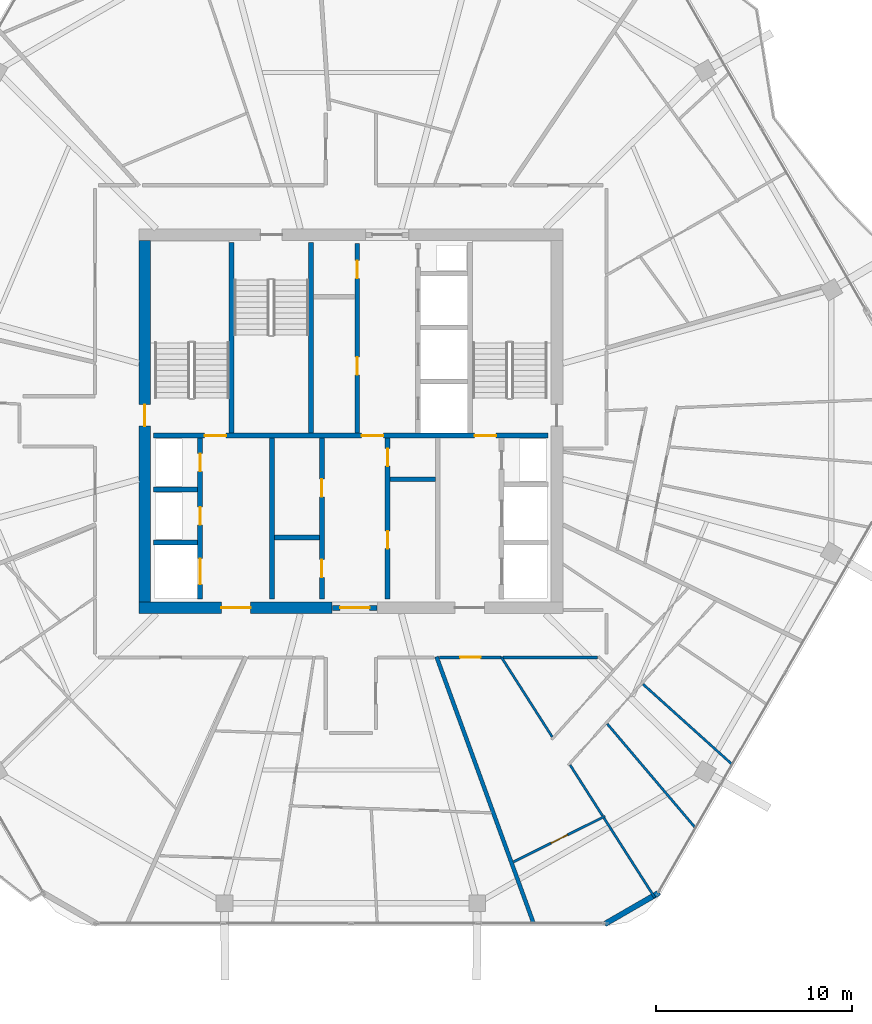
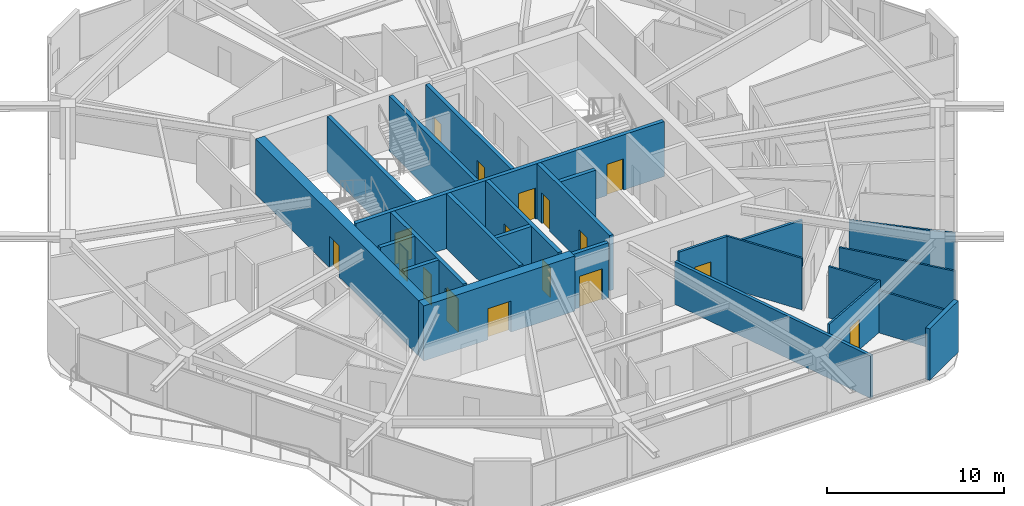
# One storey, part 19 of 26: 25 walls, 17 doors, 17 openings.
"""IFC4 building model written with IfcOpenShell, lengths in metres."""

from ifc_helpers import new_model, si_unit, direction, frame, frame_2d, origin, place, context, subcontext, project, spatial, rectangle, extrude, material, layer, layer_set, type_object, element, fill, save


model = new_model("IFC4")

# Units and contexts
model_context = context("Model", 3, precision=1e-05, world=origin(), true_north=direction((0.0, 1.0)))
body_context = subcontext(model_context, "Body", "Model", "MODEL_VIEW")
ifc_project = project(units=[si_unit("LENGTHUNIT", "METRE"), si_unit("AREAUNIT", "SQUARE_METRE"), si_unit("VOLUMEUNIT", "CUBIC_METRE"), si_unit("PLANEANGLEUNIT", "RADIAN"), si_unit("MASSUNIT", "GRAM", prefix="KILO")], contexts=[model_context])

# Site, building, storey
site_placement = place(None, origin())
site = spatial("IfcSite", under=ifc_project, at=site_placement, CompositionType="ELEMENT")
building_placement = place(site_placement, origin())
building = spatial("IfcBuilding", under=site, at=building_placement, Name="Zuhravey Tower", CompositionType="ELEMENT")
storey_placement = place(building_placement, frame((0.0, 0.0, 295.800048828125)))
storey = spatial("IfcBuildingStorey", under=building, at=storey_placement, Name="L75", CompositionType="ELEMENT", Elevation=295.800048828125)

# Wall, opening, door
ifc_material_1 = material(Name="Concrete C50/60", Category="concrete")
ifc_layer_1 = layer(ifc_material_1, 0.60009765625)
ifc_layer_set_1 = layer_set([ifc_layer_1], Name="Concrete C50/60")
wall_type_1 = type_object("IfcWallType", Name="Core Shear Wall 600", PredefinedType="SHEAR", material=ifc_layer_set_1)
wall_1_placement = place(storey_placement, frame((25.199951171875, 22.5, 0.0), z_axis=(0.0, 0.0, 1.0), x_axis=(1.0, 0.0, 0.0)))
wall_1 = element("IfcWall", 1, at=wall_1_placement, inside=storey, type_object=wall_type_1, Name="L75 South-West Core Shear Wall CW60", PredefinedType="SHEAR", context=body_context, shape_type="SweptSolid", body=[
    extrude(rectangle(XDim=9.85009765625, YDim=0.60009765625, at=frame_2d((4.925048828125, 0.0))), origin(), (0.0, 0.0, 1.0), 3.800048828125),
])
opening_1_placement = place(wall_1_placement, frame((4.199951171875, 0.0, 0.0)))
opening_1 = element("IfcOpeningElement", 2, at=opening_1_placement, cuts=wall_1, Name="Opening FFD1", PredefinedType="OPENING", context=body_context, shape_type="SweptSolid", body=[
    extrude(rectangle(XDim=1.5, YDim=2.14990234375, at=frame_2d((0.75, 1.074951171875))), frame((0.0, 0.31201171875, 0.0), z_axis=(0.0, -1.0, 0.0), x_axis=(1.0, 0.0, 0.0)), (0.0, 0.0, 1.0), 0.6240234375),
])
ifc_material_2 = material(Name="Galvanised fire-rated steel leaf", Category="steel")
door_type_1 = type_object("IfcDoorType", Name="Firefighting Lobby Double Door 1500x2150", OperationType="DOUBLE_DOOR_SINGLE_SWING", PredefinedType="DOOR", material=ifc_material_2)
door_1_placement = place(opening_1_placement, origin())
door_1 = element("IfcDoor", 3, at=door_1_placement, inside=storey, type_object=door_type_1, Name="L75 Firefighting Lobby West Door", OperationType="DOUBLE_DOOR_SINGLE_SWING", OverallHeight=2.14990234375, OverallWidth=1.5, PredefinedType="DOOR", context=body_context, shape_type="SweptSolid", body=[
    extrude(rectangle(XDim=1.5, YDim=2.14990234375, at=frame_2d((0.75, 1.074951171875))), frame((0.0, 0.02490234375, 0.0), z_axis=(0.0, -1.0, 0.0), x_axis=(1.0, 0.0, 0.0)), (0.0, 0.0, 1.0), 0.050048828125),
])
fill(opening_1, door_1)

wall_2_placement = place(storey_placement, frame((25.5, 22.800048828125, 0.0), z_axis=(0.0, 0.0, 1.0), x_axis=(0.0, 1.0, 0.0)))
wall_2 = element("IfcWall", 4, at=wall_2_placement, inside=storey, type_object=wall_type_1, Name="L75 West Core Shear Wall CW60", PredefinedType="SHEAR", context=body_context, shape_type="SweptSolid", body=[
    extrude(rectangle(XDim=18.39990234375, YDim=0.60009765625, at=frame_2d((9.199951171875, 0.0))), origin(), (0.0, 0.0, 1.0), 3.800048828125),
])
opening_2_placement = place(wall_2_placement, frame((8.949951171875, 0.0, 0.0)))
opening_2 = element("IfcOpeningElement", 5, at=opening_2_placement, cuts=wall_2, Name="Opening STD1", PredefinedType="OPENING", context=body_context, shape_type="SweptSolid", body=[
    extrude(rectangle(XDim=1.10009765625, YDim=2.14990234375, at=frame_2d((0.550048828125, 1.074951171875))), frame((0.0, 0.31201171875, 0.0), z_axis=(0.0, -1.0, 0.0), x_axis=(1.0, 0.0, 0.0)), (0.0, 0.0, 1.0), 0.6240234375),
])
door_type_2 = type_object("IfcDoorType", Name="Protected Stair Fire Door 1100x2150", OperationType="NOTDEFINED", PredefinedType="USERDEFINED", material=ifc_material_2)
door_2_placement = place(opening_2_placement, frame((1.10009765625, 0.0, 0.0), z_axis=(0.0, 0.0, 1.0), x_axis=(-1.0, 0.0, 0.0)))
door_2 = element("IfcDoor", 6, at=door_2_placement, inside=storey, type_object=door_type_2, Name="L75 Stair ST1 Door", ObjectType="EXITDOOR", OperationType="SINGLE_SWING_LEFT", OverallHeight=2.14990234375, OverallWidth=1.10009765625, PredefinedType="USERDEFINED", context=body_context, shape_type="SweptSolid", body=[
    extrude(rectangle(XDim=1.10009765625, YDim=2.14990234375, at=frame_2d((0.550048828125, 1.074951171875))), frame((0.0, 0.02490234375, 0.0), z_axis=(0.0, -1.0, 0.0), x_axis=(1.0, 0.0, 0.0)), (0.0, 0.0, 1.0), 0.050048828125),
])
fill(opening_2, door_2)

ifc_material_3 = material(Name="Gypsum fire-rated stud partition")
ifc_layer_2 = layer(ifc_material_3, 0.159912109375)
ifc_layer_set_2 = layer_set([ifc_layer_2], Name="Gypsum fire-rated stud partition")
wall_type_2 = type_object("IfcWallType", Name="Corridor Fire Partition 160", PredefinedType="PARTITIONING", material=ifc_layer_set_2)
wall_3_placement = place(storey_placement, frame((40.519287109375, 19.969970703125, 0.0), z_axis=(0.0, 0.0, 1.0), x_axis=(1.0, 0.0, 0.0)))
wall_3 = element("IfcWall", 7, at=wall_3_placement, inside=storey, type_object=wall_type_2, Name="L75 IW16 Partition 035", PredefinedType="PARTITIONING", context=body_context, shape_type="SweptSolid", body=[
    extrude(rectangle(XDim=3.1328125, YDim=0.159912109375, at=frame_2d((1.56640625, 0.0))), origin(), (0.0, 0.0, 1.0), 3.550048828125),
])
opening_3_placement = place(wall_3_placement, frame((1.04150390625, 0.0, 0.0)))
opening_3 = element("IfcOpeningElement", 8, at=opening_3_placement, cuts=wall_3, Name="Opening APD1", PredefinedType="OPENING", context=body_context, shape_type="SweptSolid", body=[
    extrude(rectangle(XDim=1.050048828125, YDim=2.14990234375, at=frame_2d((0.52490234375, 1.074951171875))), frame((0.0, 0.092041015625, 0.0), z_axis=(0.0, -1.0, 0.0), x_axis=(1.0, 0.0, 0.0)), (0.0, 0.0, 1.0), 0.183837890625),
])
ifc_material_4 = material(Name="Solid-core oak fire-rated leaf")
door_type_3 = type_object("IfcDoorType", Name="Apartment Entrance Fire Door 1050x2150", OperationType="NOTDEFINED", PredefinedType="DOOR", material=ifc_material_4)
door_3_placement = place(opening_3_placement, frame((1.050048828125, 0.0, 0.0), z_axis=(0.0, 0.0, 1.0), x_axis=(-1.0, 0.0, 0.0)))
door_3 = element("IfcDoor", 9, at=door_3_placement, inside=storey, type_object=door_type_3, Name="L75 Door 035.1", OperationType="SINGLE_SWING_RIGHT", OverallHeight=2.14990234375, OverallWidth=1.050048828125, PredefinedType="DOOR", context=body_context, shape_type="SweptSolid", body=[
    extrude(rectangle(XDim=1.050048828125, YDim=2.14990234375, at=frame_2d((0.52490234375, 1.074951171875))), frame((0.0, 0.02490234375, 0.0), z_axis=(0.0, -1.0, 0.0), x_axis=(1.0, 0.0, 0.0)), (0.0, 0.0, 1.0), 0.050048828125),
])
fill(opening_3, door_3)

# Walls
wall_4_placement = place(storey_placement, frame((43.756591796875, 19.969970703125, 0.0), z_axis=(0.0, 0.0, 1.0), x_axis=(1.0, 0.0, 0.0)))
element("IfcWall", 10, at=wall_4_placement, inside=storey, type_object=wall_type_2, Name="L75 IW16 Partition 113", PredefinedType="PARTITIONING", context=body_context, shape_type="SweptSolid", body=[
    extrude(rectangle(XDim=4.809326171875, YDim=0.159912109375, at=frame_2d((2.40478515625, 0.0))), origin(), (0.0, 0.0, 1.0), 2.949951171875),
])
ifc_material_5 = material(Name="Precast concrete C40/50", Category="concrete")
ifc_layer_3 = layer(ifc_material_5, 0.280029296875)
ifc_layer_set_3 = layer_set([ifc_layer_3], Name="Precast concrete C40/50")
wall_type_3 = type_object("IfcWallType", Name="Crown Architectural Wall 280", PredefinedType="SOLIDWALL", material=ifc_layer_set_3)
wall_5_placement = place(storey_placement, frame((51.714599609375, 7.996337890625, 0.0), z_axis=(0.0, 0.0, 1.0), x_axis=(-0.866028773314, -0.499994163758, 0.0)))
element("IfcWall", 11, at=wall_5_placement, inside=storey, type_object=wall_type_3, Name="L75 Rounded Corner Closure Wall EW28-02", PredefinedType="SOLIDWALL", context=body_context, shape_type="SweptSolid", body=[
    extrude(rectangle(XDim=3.21484375, YDim=0.280029296875, at=frame_2d((1.607421875, 0.0))), origin(), (0.0, 0.0, 1.0), 3.550048828125),
])

# Wall, opening, door
ifc_layer_4 = layer(ifc_material_1, 0.25)
ifc_layer_set_4 = layer_set([ifc_layer_4], Name="Concrete C50/60")
wall_type_4 = type_object("IfcWallType", Name="Firefighting Shaft & Stair Wall 250", PredefinedType="SOLIDWALL", material=ifc_layer_set_4)
wall_6_placement = place(storey_placement, frame((35.06005859375, 22.5, 0.0), z_axis=(0.0, 0.0, 1.0), x_axis=(1.0, 0.0, 0.0)))
wall_6 = element("IfcWall", 12, at=wall_6_placement, inside=storey, type_object=wall_type_4, Name="L75 FW25 Shaft Wall 001", PredefinedType="SOLIDWALL", context=body_context, shape_type="SweptSolid", body=[
    extrude(rectangle(XDim=2.280029296875, YDim=0.25, at=frame_2d((1.14013671875, 0.0))), origin(), (0.0, 0.0, 1.0), 3.800048828125),
])
opening_4_placement = place(wall_6_placement, frame((0.389892578125, 0.0, 0.0)))
opening_4 = element("IfcOpeningElement", 13, at=opening_4_placement, cuts=wall_6, Name="Opening FFD1", PredefinedType="OPENING", context=body_context, shape_type="SweptSolid", body=[
    extrude(rectangle(XDim=1.5, YDim=2.14990234375, at=frame_2d((0.75, 1.074951171875))), frame((0.0, 0.136962890625, 0.0), z_axis=(0.0, -1.0, 0.0), x_axis=(1.0, 0.0, 0.0)), (0.0, 0.0, 1.0), 0.27392578125),
])
door_4_placement = place(opening_4_placement, frame((1.5, 0.0, 0.0), z_axis=(0.0, 0.0, 1.0), x_axis=(-1.0, 0.0, 0.0)))
door_4 = element("IfcDoor", 14, at=door_4_placement, inside=storey, type_object=door_type_1, Name="L75 South Lift Lobby Exit Door", OperationType="DOUBLE_DOOR_SINGLE_SWING", OverallHeight=2.14990234375, OverallWidth=1.5, PredefinedType="DOOR", context=body_context, shape_type="SweptSolid", body=[
    extrude(rectangle(XDim=1.5, YDim=2.14990234375, at=frame_2d((0.75, 1.074951171875))), frame((0.0, 0.02490234375, 0.0), z_axis=(0.0, -1.0, 0.0), x_axis=(1.0, 0.0, 0.0)), (0.0, 0.0, 1.0), 0.050048828125),
])
fill(opening_4, door_4)

# Wall, openings, doors
wall_7_placement = place(storey_placement, frame((25.949951171875, 31.27490234375, 0.0), z_axis=(0.0, 0.0, 1.0), x_axis=(1.0, 0.0, 0.0)))
wall_7 = element("IfcWall", 15, at=wall_7_placement, inside=storey, type_object=wall_type_4, Name="L75 FW25 Shaft Wall 003", PredefinedType="SOLIDWALL", context=body_context, shape_type="SweptSolid", body=[
    extrude(rectangle(XDim=20.10009765625, YDim=0.25, at=frame_2d((10.050048828125, 0.0))), origin(), (0.0, 0.0, 1.0), 3.800048828125),
])
opening_5_placement = place(wall_7_placement, frame((2.60009765625, 0.0, 0.0)))
opening_5 = element("IfcOpeningElement", 16, at=opening_5_placement, cuts=wall_7, Name="Opening STD1", PredefinedType="OPENING", context=body_context, shape_type="SweptSolid", body=[
    extrude(rectangle(XDim=1.10009765625, YDim=2.14990234375, at=frame_2d((0.550048828125, 1.074951171875))), frame((0.0, 0.136962890625, 0.0), z_axis=(0.0, -1.0, 0.0), x_axis=(1.0, 0.0, 0.0)), (0.0, 0.0, 1.0), 0.27392578125),
])
opening_6_placement = place(wall_7_placement, frame((10.60009765625, 0.0, 0.0)))
opening_6 = element("IfcOpeningElement", 17, at=opening_6_placement, cuts=wall_7, Name="Opening STD1", PredefinedType="OPENING", context=body_context, shape_type="SweptSolid", body=[
    extrude(rectangle(XDim=1.10009765625, YDim=2.14990234375, at=frame_2d((0.550048828125, 1.074951171875))), frame((0.0, 0.136962890625, 0.0), z_axis=(0.0, -1.0, 0.0), x_axis=(1.0, 0.0, 0.0)), (0.0, 0.0, 1.0), 0.27392578125),
])
opening_7_placement = place(wall_7_placement, frame((16.35009765625, 0.0, 0.0)))
opening_7 = element("IfcOpeningElement", 18, at=opening_7_placement, cuts=wall_7, Name="Opening STD1", PredefinedType="OPENING", context=body_context, shape_type="SweptSolid", body=[
    extrude(rectangle(XDim=1.10009765625, YDim=2.14990234375, at=frame_2d((0.550048828125, 1.074951171875))), frame((0.0, 0.136962890625, 0.0), z_axis=(0.0, -1.0, 0.0), x_axis=(1.0, 0.0, 0.0)), (0.0, 0.0, 1.0), 0.27392578125),
])
door_5_placement = place(opening_5_placement, origin())
door_5 = element("IfcDoor", 19, at=door_5_placement, inside=storey, type_object=door_type_2, Name="L75 FFL-W to ST1 Door", ObjectType="EXITDOOR", OperationType="SINGLE_SWING_RIGHT", OverallHeight=2.14990234375, OverallWidth=1.10009765625, PredefinedType="USERDEFINED", context=body_context, shape_type="SweptSolid", body=[
    extrude(rectangle(XDim=1.10009765625, YDim=2.14990234375, at=frame_2d((0.550048828125, 1.074951171875))), frame((0.0, 0.02490234375, 0.0), z_axis=(0.0, -1.0, 0.0), x_axis=(1.0, 0.0, 0.0)), (0.0, 0.0, 1.0), 0.050048828125),
])
fill(opening_5, door_5)
door_6_placement = place(opening_6_placement, origin())
door_6 = element("IfcDoor", 20, at=door_6_placement, inside=storey, type_object=door_type_2, Name="L75 Core Lobby Link Door", ObjectType="EXITDOOR", OperationType="SINGLE_SWING_LEFT", OverallHeight=2.14990234375, OverallWidth=1.10009765625, PredefinedType="USERDEFINED", context=body_context, shape_type="SweptSolid", body=[
    extrude(rectangle(XDim=1.10009765625, YDim=2.14990234375, at=frame_2d((0.550048828125, 1.074951171875))), frame((0.0, 0.02490234375, 0.0), z_axis=(0.0, -1.0, 0.0), x_axis=(1.0, 0.0, 0.0)), (0.0, 0.0, 1.0), 0.050048828125),
])
fill(opening_6, door_6)
door_7_placement = place(opening_7_placement, origin())
door_7 = element("IfcDoor", 21, at=door_7_placement, inside=storey, type_object=door_type_2, Name="L75 FFL-E to ST2 Door", ObjectType="EXITDOOR", OperationType="SINGLE_SWING_RIGHT", OverallHeight=2.14990234375, OverallWidth=1.10009765625, PredefinedType="USERDEFINED", context=body_context, shape_type="SweptSolid", body=[
    extrude(rectangle(XDim=1.10009765625, YDim=2.14990234375, at=frame_2d((0.550048828125, 1.074951171875))), frame((0.0, 0.02490234375, 0.0), z_axis=(0.0, -1.0, 0.0), x_axis=(1.0, 0.0, 0.0)), (0.0, 0.0, 1.0), 0.050048828125),
])
fill(opening_7, door_7)

# Walls
for number, where, z_axis, x_axis, name in (
    (22, (29.925048828125, 31.39990234375, 0.0), (0.0, 0.0, 1.0), (0.0, 1.0, 0.0), "L75 FW25 Shaft Wall 004"),
    (23, (33.97509765625, 31.39990234375, 0.0), (0.0, 0.0, 1.0), (0.0, 1.0, 0.0), "L75 FW25 Shaft Wall 005"),
):
    element("IfcWall", number, at=place(storey_placement, frame(where, z_axis=z_axis, x_axis=x_axis)), inside=storey, type_object=wall_type_4, Name=name, PredefinedType="SOLIDWALL", context=body_context, shape_type="SweptSolid", body=[
        extrude(rectangle(XDim=9.7001953125, YDim=0.25, at=frame_2d((4.85009765625, 0.0))), origin(), (0.0, 0.0, 1.0), 3.800048828125),
    ])

# Wall, openings, doors
wall_8_placement = place(storey_placement, frame((36.324951171875, 31.39990234375, 0.0), z_axis=(0.0, 0.0, 1.0), x_axis=(0.0, 1.0, 0.0)))
wall_8 = element("IfcWall", 24, at=wall_8_placement, inside=storey, type_object=wall_type_4, Name="L75 FW25 Shaft Wall 007", PredefinedType="SOLIDWALL", context=body_context, shape_type="SweptSolid", body=[
    extrude(rectangle(XDim=9.650146484375, YDim=0.25, at=frame_2d((4.8251953125, 0.0))), origin(), (0.0, 0.0, 1.0), 3.800048828125),
])
opening_8_placement = place(wall_8_placement, frame((2.965087890625, 0.0, 0.0)))
opening_8 = element("IfcOpeningElement", 25, at=opening_8_placement, cuts=wall_8, Name="Opening RSD1", PredefinedType="OPENING", context=body_context, shape_type="SweptSolid", body=[
    extrude(rectangle(XDim=0.89990234375, YDim=2.10009765625, at=frame_2d((0.449951171875, 1.050048828125))), frame((0.0, 0.136962890625, 0.0), z_axis=(0.0, -1.0, 0.0), x_axis=(1.0, 0.0, 0.0)), (0.0, 0.0, 1.0), 0.27392578125),
])
opening_9_placement = place(wall_8_placement, frame((7.885009765625, 0.0, 0.0)))
opening_9 = element("IfcOpeningElement", 26, at=opening_9_placement, cuts=wall_8, Name="Opening RSD1", PredefinedType="OPENING", context=body_context, shape_type="SweptSolid", body=[
    extrude(rectangle(XDim=0.89990234375, YDim=2.10009765625, at=frame_2d((0.449951171875, 1.050048828125))), frame((0.0, 0.136962890625, 0.0), z_axis=(0.0, -1.0, 0.0), x_axis=(1.0, 0.0, 0.0)), (0.0, 0.0, 1.0), 0.27392578125),
])
ifc_material_6 = material(Name="Galvanised fire-rated steel access leaf", Category="steel")
door_type_4 = type_object("IfcDoorType", Name="Riser & Shaft Access Fire Door 900x2100", OperationType="NOTDEFINED", PredefinedType="DOOR", material=ifc_material_6)
door_8_placement = place(opening_8_placement, origin())
door_8 = element("IfcDoor", 27, at=door_8_placement, inside=storey, type_object=door_type_4, Name="L75 Equipment and Refuse Store Door", OperationType="SINGLE_SWING_LEFT", OverallHeight=2.10009765625, OverallWidth=0.89990234375, PredefinedType="DOOR", context=body_context, shape_type="SweptSolid", body=[
    extrude(rectangle(XDim=0.89990234375, YDim=2.10009765625, at=frame_2d((0.449951171875, 1.050048828125))), frame((0.0, 0.02490234375, 0.0), z_axis=(0.0, -1.0, 0.0), x_axis=(1.0, 0.0, 0.0)), (0.0, 0.0, 1.0), 0.050048828125),
])
fill(opening_8, door_8)
door_9_placement = place(opening_9_placement, origin())
door_9 = element("IfcDoor", 28, at=door_9_placement, inside=storey, type_object=door_type_4, Name="L75 BMS Control Room Door", OperationType="SINGLE_SWING_RIGHT", OverallHeight=2.10009765625, OverallWidth=0.89990234375, PredefinedType="DOOR", context=body_context, shape_type="SweptSolid", body=[
    extrude(rectangle(XDim=0.89990234375, YDim=2.10009765625, at=frame_2d((0.449951171875, 1.050048828125))), frame((0.0, 0.02490234375, 0.0), z_axis=(0.0, -1.0, 0.0), x_axis=(1.0, 0.0, 0.0)), (0.0, 0.0, 1.0), 0.050048828125),
])
fill(opening_9, door_9)

# Walls
for number, where, z_axis, x_axis, name in (
    (29, (25.949951171875, 25.824951171875, 0.0), (0.0, 0.0, 1.0), (1.0, 0.0, 0.0), "L75 FW25 Shaft Wall 009"),
    (30, (25.949951171875, 28.52490234375, 0.0), (0.0, 0.0, 1.0), (1.0, 0.0, 0.0), "L75 FW25 Shaft Wall 010"),
):
    element("IfcWall", number, at=place(storey_placement, frame(where, z_axis=z_axis, x_axis=x_axis)), inside=storey, type_object=wall_type_4, Name=name, PredefinedType="SOLIDWALL", context=body_context, shape_type="SweptSolid", body=[
        extrude(rectangle(XDim=2.25, YDim=0.25, at=frame_2d((1.125, 0.0))), origin(), (0.0, 0.0, 1.0), 3.800048828125),
    ])

# Wall, openings, doors
wall_9_placement = place(storey_placement, frame((28.324951171875, 22.949951171875, 0.0), z_axis=(0.0, 0.0, 1.0), x_axis=(0.0, 1.0, 0.0)))
wall_9 = element("IfcWall", 31, at=wall_9_placement, inside=storey, type_object=wall_type_4, Name="L75 FW25 Shaft Wall 011", PredefinedType="SOLIDWALL", context=body_context, shape_type="SweptSolid", body=[
    extrude(rectangle(XDim=8.199951171875, YDim=0.25, at=frame_2d((4.10009765625, 0.0))), origin(), (0.0, 0.0, 1.0), 3.800048828125),
])
opening_10_placement = place(wall_9_placement, frame((0.75, 0.0, 0.0)))
opening_10 = element("IfcOpeningElement", 32, at=opening_10_placement, cuts=wall_9, Name="Opening LD2", PredefinedType="OPENING", context=body_context, shape_type="SweptSolid", body=[
    extrude(rectangle(XDim=1.300048828125, YDim=2.300048828125, at=frame_2d((0.64990234375, 1.14990234375))), frame((0.0, 0.136962890625, 0.0), z_axis=(0.0, -1.0, 0.0), x_axis=(1.0, 0.0, 0.0)), (0.0, 0.0, 1.0), 0.27392578125),
])
opening_11_placement = place(wall_9_placement, frame((3.780029296875, 0.0, 0.0)))
opening_11 = element("IfcOpeningElement", 33, at=opening_11_placement, cuts=wall_9, Name="Opening RSD1", PredefinedType="OPENING", context=body_context, shape_type="SweptSolid", body=[
    extrude(rectangle(XDim=0.89990234375, YDim=2.10009765625, at=frame_2d((0.449951171875, 1.050048828125))), frame((0.0, 0.136962890625, 0.0), z_axis=(0.0, -1.0, 0.0), x_axis=(1.0, 0.0, 0.0)), (0.0, 0.0, 1.0), 0.27392578125),
])
opening_12_placement = place(wall_9_placement, frame((6.5, 0.0, 0.0)))
opening_12 = element("IfcOpeningElement", 34, at=opening_12_placement, cuts=wall_9, Name="Opening RSD1", PredefinedType="OPENING", context=body_context, shape_type="SweptSolid", body=[
    extrude(rectangle(XDim=0.89990234375, YDim=2.10009765625, at=frame_2d((0.449951171875, 1.050048828125))), frame((0.0, 0.136962890625, 0.0), z_axis=(0.0, -1.0, 0.0), x_axis=(1.0, 0.0, 0.0)), (0.0, 0.0, 1.0), 0.27392578125),
])
ifc_material_7 = material(Name="Brushed stainless steel", Category="steel")
door_type_5 = type_object("IfcDoorType", Name="Freight & Stretcher Lift Sliding Door 1300x2300", OperationType="DOUBLE_DOOR_SLIDING", PredefinedType="DOOR", material=ifc_material_7)
door_10_placement = place(opening_10_placement, frame((1.300048828125, 0.0, 0.0), z_axis=(0.0, 0.0, 1.0), x_axis=(-1.0, 0.0, 0.0)))
door_10 = element("IfcDoor", 35, at=door_10_placement, inside=storey, type_object=door_type_5, Name="L75 Lift FF1 Landing Door", OperationType="DOUBLE_DOOR_SLIDING", OverallHeight=2.300048828125, OverallWidth=1.300048828125, PredefinedType="DOOR", context=body_context, shape_type="SweptSolid", body=[
    extrude(rectangle(XDim=1.300048828125, YDim=2.300048828125, at=frame_2d((0.64990234375, 1.14990234375))), frame((0.0, 0.02490234375, 0.0), z_axis=(0.0, -1.0, 0.0), x_axis=(1.0, 0.0, 0.0)), (0.0, 0.0, 1.0), 0.050048828125),
])
fill(opening_10, door_10)
door_11_placement = place(opening_11_placement, frame((0.89990234375, 0.0, 0.0), z_axis=(0.0, 0.0, 1.0), x_axis=(-1.0, 0.0, 0.0)))
door_11 = element("IfcDoor", 36, at=door_11_placement, inside=storey, type_object=door_type_4, Name="L75 Electrical Riser Door", OperationType="SINGLE_SWING_RIGHT", OverallHeight=2.10009765625, OverallWidth=0.89990234375, PredefinedType="DOOR", context=body_context, shape_type="SweptSolid", body=[
    extrude(rectangle(XDim=0.89990234375, YDim=2.10009765625, at=frame_2d((0.449951171875, 1.050048828125))), frame((0.0, 0.02490234375, 0.0), z_axis=(0.0, -1.0, 0.0), x_axis=(1.0, 0.0, 0.0)), (0.0, 0.0, 1.0), 0.050048828125),
])
fill(opening_11, door_11)
door_12_placement = place(opening_12_placement, frame((0.89990234375, 0.0, 0.0), z_axis=(0.0, 0.0, 1.0), x_axis=(-1.0, 0.0, 0.0)))
door_12 = element("IfcDoor", 37, at=door_12_placement, inside=storey, type_object=door_type_4, Name="L75 Smoke Shaft Access Door", OperationType="SINGLE_SWING_LEFT", OverallHeight=2.10009765625, OverallWidth=0.89990234375, PredefinedType="DOOR", context=body_context, shape_type="SweptSolid", body=[
    extrude(rectangle(XDim=0.89990234375, YDim=2.10009765625, at=frame_2d((0.449951171875, 1.050048828125))), frame((0.0, 0.02490234375, 0.0), z_axis=(0.0, -1.0, 0.0), x_axis=(1.0, 0.0, 0.0)), (0.0, 0.0, 1.0), 0.050048828125),
])
fill(opening_12, door_12)

# Walls
wall_10_placement = place(storey_placement, frame((31.97509765625, 22.949951171875, 0.0), z_axis=(0.0, 0.0, 1.0), x_axis=(0.0, 1.0, 0.0)))
element("IfcWall", 38, at=wall_10_placement, inside=storey, type_object=wall_type_4, Name="L75 FW25 Shaft Wall 012", PredefinedType="SOLIDWALL", context=body_context, shape_type="SweptSolid", body=[
    extrude(rectangle(XDim=8.199951171875, YDim=0.25, at=frame_2d((4.10009765625, 0.0))), origin(), (0.0, 0.0, 1.0), 3.800048828125),
])
wall_11_placement = place(storey_placement, frame((32.10009765625, 26.074951171875, 0.0), z_axis=(0.0, 0.0, 1.0), x_axis=(1.0, 0.0, 0.0)))
element("IfcWall", 39, at=wall_11_placement, inside=storey, type_object=wall_type_4, Name="L75 FW25 Shaft Wall 013", PredefinedType="SOLIDWALL", context=body_context, shape_type="SweptSolid", body=[
    extrude(rectangle(XDim=2.2998046875, YDim=0.25, at=frame_2d((1.14990234375, 0.0))), origin(), (0.0, 0.0, 1.0), 3.800048828125),
])

# Wall, openings, doors
wall_12_placement = place(storey_placement, frame((34.52490234375, 22.949951171875, 0.0), z_axis=(0.0, 0.0, 1.0), x_axis=(0.0, 1.0, 0.0)))
wall_12 = element("IfcWall", 40, at=wall_12_placement, inside=storey, type_object=wall_type_4, Name="L75 FW25 Shaft Wall 014", PredefinedType="SOLIDWALL", context=body_context, shape_type="SweptSolid", body=[
    extrude(rectangle(XDim=8.199951171875, YDim=0.25, at=frame_2d((4.10009765625, 0.0))), origin(), (0.0, 0.0, 1.0), 3.800048828125),
])
opening_13_placement = place(wall_12_placement, frame((1.10009765625, 0.0, 0.0)))
opening_13 = element("IfcOpeningElement", 41, at=opening_13_placement, cuts=wall_12, Name="Opening RSD1", PredefinedType="OPENING", context=body_context, shape_type="SweptSolid", body=[
    extrude(rectangle(XDim=0.89990234375, YDim=2.10009765625, at=frame_2d((0.449951171875, 1.050048828125))), frame((0.0, 0.136962890625, 0.0), z_axis=(0.0, -1.0, 0.0), x_axis=(1.0, 0.0, 0.0)), (0.0, 0.0, 1.0), 0.27392578125),
])
opening_14_placement = place(wall_12_placement, frame((5.199951171875, 0.0, 0.0)))
opening_14 = element("IfcOpeningElement", 42, at=opening_14_placement, cuts=wall_12, Name="Opening RSD1", PredefinedType="OPENING", context=body_context, shape_type="SweptSolid", body=[
    extrude(rectangle(XDim=0.89990234375, YDim=2.10009765625, at=frame_2d((0.449951171875, 1.050048828125))), frame((0.0, 0.136962890625, 0.0), z_axis=(0.0, -1.0, 0.0), x_axis=(1.0, 0.0, 0.0)), (0.0, 0.0, 1.0), 0.27392578125),
])
door_13_placement = place(opening_13_placement, origin())
door_13 = element("IfcDoor", 43, at=door_13_placement, inside=storey, type_object=door_type_4, Name="L75 Metering Room Door", OperationType="SINGLE_SWING_RIGHT", OverallHeight=2.10009765625, OverallWidth=0.89990234375, PredefinedType="DOOR", context=body_context, shape_type="SweptSolid", body=[
    extrude(rectangle(XDim=0.89990234375, YDim=2.10009765625, at=frame_2d((0.449951171875, 1.050048828125))), frame((0.0, 0.02490234375, 0.0), z_axis=(0.0, -1.0, 0.0), x_axis=(1.0, 0.0, 0.0)), (0.0, 0.0, 1.0), 0.050048828125),
])
fill(opening_13, door_13)
door_14_placement = place(opening_14_placement, origin())
door_14 = element("IfcDoor", 44, at=door_14_placement, inside=storey, type_object=door_type_4, Name="L75 Housekeeping Supply Door", OperationType="SINGLE_SWING_LEFT", OverallHeight=2.10009765625, OverallWidth=0.89990234375, PredefinedType="DOOR", context=body_context, shape_type="SweptSolid", body=[
    extrude(rectangle(XDim=0.89990234375, YDim=2.10009765625, at=frame_2d((0.449951171875, 1.050048828125))), frame((0.0, 0.02490234375, 0.0), z_axis=(0.0, -1.0, 0.0), x_axis=(1.0, 0.0, 0.0)), (0.0, 0.0, 1.0), 0.050048828125),
])
fill(opening_14, door_14)

# Wall
wall_13_placement = place(storey_placement, frame((38.0, 29.050048828125, 0.0), z_axis=(0.0, 0.0, 1.0), x_axis=(1.0, 0.0, 0.0)))
element("IfcWall", 45, at=wall_13_placement, inside=storey, type_object=wall_type_4, Name="L75 FW25 Shaft Wall 015", PredefinedType="SOLIDWALL", context=body_context, shape_type="SweptSolid", body=[
    extrude(rectangle(XDim=2.300048828125, YDim=0.25, at=frame_2d((1.14990234375, 0.0))), origin(), (0.0, 0.0, 1.0), 3.800048828125),
])

# Wall, openings, doors
wall_14_placement = place(storey_placement, frame((37.875, 22.949951171875, 0.0), z_axis=(0.0, 0.0, 1.0), x_axis=(0.0, 1.0, 0.0)))
wall_14 = element("IfcWall", 46, at=wall_14_placement, inside=storey, type_object=wall_type_4, Name="L75 FW25 Shaft Wall 016", PredefinedType="SOLIDWALL", context=body_context, shape_type="SweptSolid", body=[
    extrude(rectangle(XDim=8.199951171875, YDim=0.25, at=frame_2d((4.10009765625, 0.0))), origin(), (0.0, 0.0, 1.0), 3.800048828125),
])
opening_15_placement = place(wall_14_placement, frame((2.5625, 0.0, 0.0)))
opening_15 = element("IfcOpeningElement", 47, at=opening_15_placement, cuts=wall_14, Name="Opening RSD1", PredefinedType="OPENING", context=body_context, shape_type="SweptSolid", body=[
    extrude(rectangle(XDim=0.89990234375, YDim=2.10009765625, at=frame_2d((0.449951171875, 1.050048828125))), frame((0.0, 0.136962890625, 0.0), z_axis=(0.0, -1.0, 0.0), x_axis=(1.0, 0.0, 0.0)), (0.0, 0.0, 1.0), 0.27392578125),
])
opening_16_placement = place(wall_14_placement, frame((6.762451171875, 0.0, 0.0)))
opening_16 = element("IfcOpeningElement", 48, at=opening_16_placement, cuts=wall_14, Name="Opening RSD1", PredefinedType="OPENING", context=body_context, shape_type="SweptSolid", body=[
    extrude(rectangle(XDim=0.89990234375, YDim=2.10009765625, at=frame_2d((0.449951171875, 1.050048828125))), frame((0.0, 0.136962890625, 0.0), z_axis=(0.0, -1.0, 0.0), x_axis=(1.0, 0.0, 0.0)), (0.0, 0.0, 1.0), 0.27392578125),
])
door_15_placement = place(opening_15_placement, frame((0.89990234375, 0.0, 0.0), z_axis=(0.0, 0.0, 1.0), x_axis=(-1.0, 0.0, 0.0)))
door_15 = element("IfcDoor", 49, at=door_15_placement, inside=storey, type_object=door_type_4, Name="L75 Trunk Store Door", OperationType="SINGLE_SWING_RIGHT", OverallHeight=2.10009765625, OverallWidth=0.89990234375, PredefinedType="DOOR", context=body_context, shape_type="SweptSolid", body=[
    extrude(rectangle(XDim=0.89990234375, YDim=2.10009765625, at=frame_2d((0.449951171875, 1.050048828125))), frame((0.0, 0.02490234375, 0.0), z_axis=(0.0, -1.0, 0.0), x_axis=(1.0, 0.0, 0.0)), (0.0, 0.0, 1.0), 0.050048828125),
])
fill(opening_15, door_15)
door_16_placement = place(opening_16_placement, frame((0.89990234375, 0.0, 0.0), z_axis=(0.0, 0.0, 1.0), x_axis=(-1.0, 0.0, 0.0)))
door_16 = element("IfcDoor", 50, at=door_16_placement, inside=storey, type_object=door_type_4, Name="L75 Fiber Room Door", OperationType="SINGLE_SWING_LEFT", OverallHeight=2.10009765625, OverallWidth=0.89990234375, PredefinedType="DOOR", context=body_context, shape_type="SweptSolid", body=[
    extrude(rectangle(XDim=0.89990234375, YDim=2.10009765625, at=frame_2d((0.449951171875, 1.050048828125))), frame((0.0, 0.02490234375, 0.0), z_axis=(0.0, -1.0, 0.0), x_axis=(1.0, 0.0, 0.0)), (0.0, 0.0, 1.0), 0.050048828125),
])
fill(opening_16, door_16)

# Wall
ifc_material_8 = material(Name="Gypsum double-stud party assembly")
ifc_layer_5 = layer(ifc_material_8, 0.199951171875)
ifc_layer_set_5 = layer_set([ifc_layer_5], Name="Gypsum double-stud party assembly")
wall_type_5 = type_object("IfcWallType", Name="Inter-Tenancy Party Wall 200", PredefinedType="PARTITIONING", material=ifc_layer_set_5)
wall_15_placement = place(storey_placement, frame((40.364013671875, 20.010009765625, 0.0), z_axis=(0.0, 0.0, 1.0), x_axis=(0.342019888345, -0.939692713591, 0.0)))
element("IfcWall", 51, at=wall_15_placement, inside=storey, type_object=wall_type_5, Name="L75 IW20 Partition 071", PredefinedType="PARTITIONING", context=body_context, shape_type="SweptSolid", body=[
    extrude(rectangle(XDim=14.44482421875, YDim=0.199951171875, at=frame_2d((7.222412109375, 0.0))), origin(), (0.0, 0.0, 1.0), 2.929931640625),
])

# Wall, opening, door
ifc_material_9 = material(Name="Gypsum metal-stud partition")
ifc_layer_6 = layer(ifc_material_9, 0.1201171875)
ifc_layer_set_6 = layer_set([ifc_layer_6], Name="Gypsum metal-stud partition")
wall_type_6 = type_object("IfcWallType", Name="Unit Internal Partition 120", PredefinedType="PARTITIONING", material=ifc_layer_set_6)
wall_16_placement = place(storey_placement, frame((44.2841796875, 9.556884765625, 0.0), z_axis=(0.0, 0.0, 1.0), x_axis=(0.894782574854, 0.446502120642, 0.0)))
wall_16 = element("IfcWall", 52, at=wall_16_placement, inside=storey, type_object=wall_type_6, Name="L75 IW12 Partition 032", PredefinedType="PARTITIONING", context=body_context, shape_type="SweptSolid", body=[
    extrude(rectangle(XDim=5.216796875, YDim=0.1201171875, at=frame_2d((2.6083984375, 0.0))), origin(), (0.0, 0.0, 1.0), 3.550048828125),
])
opening_17_placement = place(wall_16_placement, frame((2.13330078125, 0.0, 0.0)))
opening_17 = element("IfcOpeningElement", 53, at=opening_17_placement, cuts=wall_16, Name="Opening IND1", PredefinedType="OPENING", context=body_context, shape_type="SweptSolid", body=[
    extrude(rectangle(XDim=0.949951171875, YDim=2.10009765625, at=frame_2d((0.47509765625, 1.050048828125))), frame((0.0, 0.072021484375, 0.0), z_axis=(0.0, -1.0, 0.0), x_axis=(1.0, 0.0, 0.0)), (0.0, 0.0, 1.0), 0.14404296875),
])
ifc_material_10 = material(Name="Painted engineered timber leaf", Category="wood")
door_type_6 = type_object("IfcDoorType", Name="Internal Room & Bedroom Door 950x2100", OperationType="NOTDEFINED", PredefinedType="DOOR", material=ifc_material_10)
door_17_placement = place(opening_17_placement, frame((0.949951171875, 0.0, 0.0), z_axis=(0.0, 0.0, 1.0), x_axis=(-1.0, 0.0, 0.0)))
door_17 = element("IfcDoor", 54, at=door_17_placement, inside=storey, type_object=door_type_6, Name="Apartment L75-03 Family Study Door", OperationType="SINGLE_SWING_RIGHT", OverallHeight=2.10009765625, OverallWidth=0.949951171875, PredefinedType="DOOR", context=body_context, shape_type="SweptSolid", body=[
    extrude(rectangle(XDim=0.949951171875, YDim=2.10009765625, at=frame_2d((0.47509765625, 1.050048828125))), frame((0.0, 0.02490234375, 0.0), z_axis=(0.0, -1.0, 0.0), x_axis=(1.0, 0.0, 0.0)), (0.0, 0.0, 1.0), 0.050048828125),
])
fill(opening_17, door_17)

# Walls
wall_17_placement = place(storey_placement, frame((49.0595703125, 16.58984375, 0.0), z_axis=(0.0, 0.0, 1.0), x_axis=(0.646504412068, -0.76291024713, 0.0)))
element("IfcWall", 55, at=wall_17_placement, inside=storey, type_object=wall_type_6, Name="L75 IW12 Partition 074", PredefinedType="PARTITIONING", context=body_context, shape_type="SweptSolid", body=[
    extrude(rectangle(XDim=6.96728515625, YDim=0.1201171875, at=frame_2d((3.483642578125, 0.0))), origin(), (0.0, 0.0, 1.0), 2.929931640625),
])
wall_18_placement = place(storey_placement, frame((50.879150390625, 18.6123046875, 0.0), z_axis=(0.0, 0.0, 1.0), x_axis=(0.7433595212, -0.668892085647, 0.0)))
element("IfcWall", 56, at=wall_18_placement, inside=storey, type_object=wall_type_6, Name="L75 IW12 Partition 075", PredefinedType="PARTITIONING", context=body_context, shape_type="SweptSolid", body=[
    extrude(rectangle(XDim=6.12744140625, YDim=0.1201171875, at=frame_2d((3.063720703125, 0.0))), origin(), (0.0, 0.0, 1.0), 2.929931640625),
])
wall_19_placement = place(storey_placement, frame((43.652099609375, 20.00732421875, 0.0), z_axis=(0.0, 0.0, 1.0), x_axis=(0.537879291551, -0.843021866692, 0.0)))
element("IfcWall", 57, at=wall_19_placement, inside=storey, type_object=wall_type_6, Name="L75 IW12 Partition 077", PredefinedType="PARTITIONING", context=body_context, shape_type="SweptSolid", body=[
    extrude(rectangle(XDim=4.84521484375, YDim=0.1201171875, at=frame_2d((2.422607421875, 0.0))), origin(), (0.0, 0.0, 1.0), 3.550048828125),
])
wall_20_placement = place(storey_placement, frame((47.17138671875, 14.491455078125, 0.0), z_axis=(0.0, 0.0, 1.0), x_axis=(0.537861418624, -0.843033270017, 0.0)))
element("IfcWall", 58, at=wall_20_placement, inside=storey, type_object=wall_type_6, Name="L75 IW12 Partition 078", PredefinedType="PARTITIONING", context=body_context, shape_type="SweptSolid", body=[
    extrude(rectangle(XDim=3.0751953125, YDim=0.1201171875, at=frame_2d((1.53759765625, 0.0))), origin(), (0.0, 0.0, 1.0), 3.550048828125),
])
wall_21_placement = place(storey_placement, frame((48.89892578125, 11.78369140625, 0.0), z_axis=(0.0, 0.0, 1.0), x_axis=(0.537919937196, -0.84299593188, 0.0)))
element("IfcWall", 59, at=wall_21_placement, inside=storey, type_object=wall_type_6, Name="L75 IW12 Partition 079", PredefinedType="PARTITIONING", context=body_context, shape_type="SweptSolid", body=[
    extrude(rectangle(XDim=4.792724609375, YDim=0.1201171875, at=frame_2d((2.396484375, 0.0))), origin(), (0.0, 0.0, 1.0), 2.929931640625),
])

save(model, "model.ifc")
